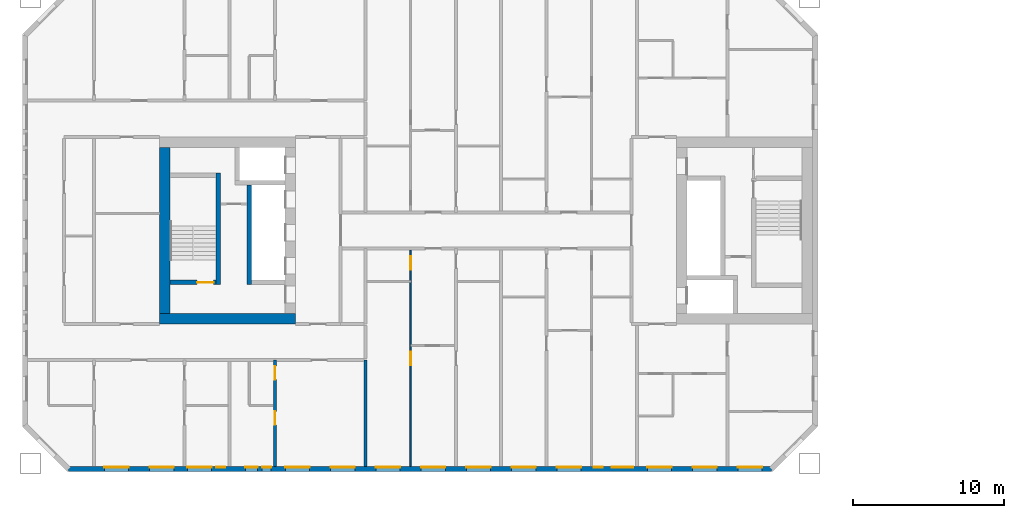
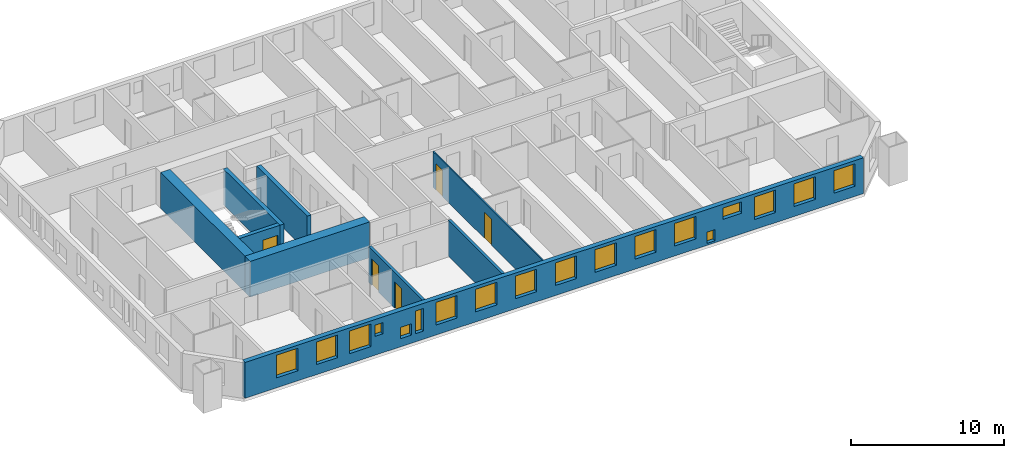
# One storey, part 3 of 17: 18 windows, 9 walls, 5 doors, 23 openings.
"""IFC4 building model written with IfcOpenShell, lengths in metres."""

from ifc_helpers import new_model, si_unit, direction, frame, frame_2d, origin, place, context, subcontext, project, spatial, rectangle, extrude, material, layer, layer_set, type_object, element, fill, save


model = new_model("IFC4")

# Units and contexts
model_context = context("Model", 3, precision=1e-05, world=origin(), true_north=direction((0.0, 1.0)))
body_context = subcontext(model_context, "Body", "Model", "MODEL_VIEW")
ifc_project = project(units=[si_unit("LENGTHUNIT", "METRE"), si_unit("AREAUNIT", "SQUARE_METRE"), si_unit("VOLUMEUNIT", "CUBIC_METRE"), si_unit("PLANEANGLEUNIT", "RADIAN"), si_unit("MASSUNIT", "GRAM", prefix="KILO")], contexts=[model_context])

# Site, building, storey
site_placement = place(None, origin())
site = spatial("IfcSite", under=ifc_project, at=site_placement, CompositionType="ELEMENT")
building_placement = place(site_placement, origin())
building = spatial("IfcBuilding", under=site, at=building_placement, Name="Tuart Gate Housing", CompositionType="ELEMENT")
storey_placement = place(building_placement, frame((0.0, 0.0, 77.800048828125)))
storey = spatial("IfcBuildingStorey", under=building, at=storey_placement, Name="L21", CompositionType="ELEMENT", Elevation=77.800048828125)

# Wall, openings, windows
ifc_material_1 = material(Name="Brick", Category="masonry")
ifc_layer_1 = layer(ifc_material_1, 0.360107421875)
ifc_layer_set_1 = layer_set([ifc_layer_1], Name="Brick pier and spandrel wall 360")
wall_type_1 = type_object("IfcWallType", Name="Brick pier and spandrel wall 360", PredefinedType="STANDARD", material=ifc_layer_set_1)
wall_1_placement = place(storey_placement, frame((26.32470703125, 54.179931640625, 0.0), z_axis=(0.0, 0.0, 1.0), x_axis=(1.0, 0.0, 0.0)))
wall_1 = element("IfcWall", 1, at=wall_1_placement, inside=storey, type_object=wall_type_1, Name="External wall A-S L21", PredefinedType="STANDARD", context=body_context, shape_type="SweptSolid", body=[
    extrude(rectangle(XDim=46.600830078125, YDim=0.360107421875, at=frame_2d((23.30029296875, 0.0))), origin(), (0.0, 0.0, 1.0), 2.849853515625),
])
opening_1_placement = place(wall_1_placement, frame((2.37548828125, 0.0, 0.800048828125)))
opening_1 = element("IfcOpeningElement", 2, at=opening_1_placement, cuts=wall_1, Name="Opening W1", PredefinedType="OPENING", context=body_context, shape_type="SweptSolid", body=[
    extrude(rectangle(XDim=1.60009765625, YDim=1.800048828125, at=frame_2d((0.800048828125, 0.89990234375))), frame((0.0, 0.18994140625, 0.0), z_axis=(0.0, -1.0, 0.0), x_axis=(1.0, 0.0, 0.0)), (0.0, 0.0, 1.0), 0.380126953125),
])
opening_2_placement = place(wall_1_placement, frame((5.37548828125, 0.0, 0.800048828125)))
opening_2 = element("IfcOpeningElement", 3, at=opening_2_placement, cuts=wall_1, Name="Opening W1", PredefinedType="OPENING", context=body_context, shape_type="SweptSolid", body=[
    extrude(rectangle(XDim=1.60009765625, YDim=1.800048828125, at=frame_2d((0.800048828125, 0.89990234375))), frame((0.0, 0.18994140625, 0.0), z_axis=(0.0, -1.0, 0.0), x_axis=(1.0, 0.0, 0.0)), (0.0, 0.0, 1.0), 0.380126953125),
])
opening_3_placement = place(wall_1_placement, frame((7.87548828125, 0.0, 0.800048828125)))
opening_3 = element("IfcOpeningElement", 4, at=opening_3_placement, cuts=wall_1, Name="Opening W1", PredefinedType="OPENING", context=body_context, shape_type="SweptSolid", body=[
    extrude(rectangle(XDim=1.60009765625, YDim=1.800048828125, at=frame_2d((0.800048828125, 0.89990234375))), frame((0.0, 0.18994140625, 0.0), z_axis=(0.0, -1.0, 0.0), x_axis=(1.0, 0.0, 0.0)), (0.0, 0.0, 1.0), 0.380126953125),
])
opening_4_placement = place(wall_1_placement, frame((11.725341796875, 0.0, 0.64990234375)))
opening_4 = element("IfcOpeningElement", 5, at=opening_4_placement, cuts=wall_1, Name="Opening W1V", PredefinedType="OPENING", context=body_context, shape_type="SweptSolid", body=[
    extrude(rectangle(XDim=0.800048828125, YDim=0.89990234375, at=frame_2d((0.39990234375, 0.449951171875))), frame((0.0, 0.18994140625, 0.0), z_axis=(0.0, -1.0, 0.0), x_axis=(1.0, 0.0, 0.0)), (0.0, 0.0, 1.0), 0.380126953125),
])
opening_5_placement = place(wall_1_placement, frame((14.37548828125, 0.0, 0.800048828125)))
opening_5 = element("IfcOpeningElement", 6, at=opening_5_placement, cuts=wall_1, Name="Opening W1", PredefinedType="OPENING", context=body_context, shape_type="SweptSolid", body=[
    extrude(rectangle(XDim=1.60009765625, YDim=1.800048828125, at=frame_2d((0.800048828125, 0.89990234375))), frame((0.0, 0.18994140625, 0.0), z_axis=(0.0, -1.0, 0.0), x_axis=(1.0, 0.0, 0.0)), (0.0, 0.0, 1.0), 0.380126953125),
])
opening_6_placement = place(wall_1_placement, frame((17.37548828125, 0.0, 0.800048828125)))
opening_6 = element("IfcOpeningElement", 7, at=opening_6_placement, cuts=wall_1, Name="Opening W1", PredefinedType="OPENING", context=body_context, shape_type="SweptSolid", body=[
    extrude(rectangle(XDim=1.60009765625, YDim=1.800048828125, at=frame_2d((0.800048828125, 0.89990234375))), frame((0.0, 0.18994140625, 0.0), z_axis=(0.0, -1.0, 0.0), x_axis=(1.0, 0.0, 0.0)), (0.0, 0.0, 1.0), 0.380126953125),
])
opening_7_placement = place(wall_1_placement, frame((20.37548828125, 0.0, 0.800048828125)))
opening_7 = element("IfcOpeningElement", 8, at=opening_7_placement, cuts=wall_1, Name="Opening W1", PredefinedType="OPENING", context=body_context, shape_type="SweptSolid", body=[
    extrude(rectangle(XDim=1.60009765625, YDim=1.800048828125, at=frame_2d((0.800048828125, 0.89990234375))), frame((0.0, 0.18994140625, 0.0), z_axis=(0.0, -1.0, 0.0), x_axis=(1.0, 0.0, 0.0)), (0.0, 0.0, 1.0), 0.380126953125),
])
opening_8_placement = place(wall_1_placement, frame((23.37548828125, 0.0, 0.800048828125)))
opening_8 = element("IfcOpeningElement", 9, at=opening_8_placement, cuts=wall_1, Name="Opening W1", PredefinedType="OPENING", context=body_context, shape_type="SweptSolid", body=[
    extrude(rectangle(XDim=1.60009765625, YDim=1.800048828125, at=frame_2d((0.800048828125, 0.89990234375))), frame((0.0, 0.18994140625, 0.0), z_axis=(0.0, -1.0, 0.0), x_axis=(1.0, 0.0, 0.0)), (0.0, 0.0, 1.0), 0.380126953125),
])
opening_9_placement = place(wall_1_placement, frame((26.37548828125, 0.0, 0.800048828125)))
opening_9 = element("IfcOpeningElement", 10, at=opening_9_placement, cuts=wall_1, Name="Opening W1", PredefinedType="OPENING", context=body_context, shape_type="SweptSolid", body=[
    extrude(rectangle(XDim=1.60009765625, YDim=1.800048828125, at=frame_2d((0.800048828125, 0.89990234375))), frame((0.0, 0.18994140625, 0.0), z_axis=(0.0, -1.0, 0.0), x_axis=(1.0, 0.0, 0.0)), (0.0, 0.0, 1.0), 0.380126953125),
])
opening_10_placement = place(wall_1_placement, frame((29.37548828125, 0.0, 0.800048828125)))
opening_10 = element("IfcOpeningElement", 11, at=opening_10_placement, cuts=wall_1, Name="Opening W1", PredefinedType="OPENING", context=body_context, shape_type="SweptSolid", body=[
    extrude(rectangle(XDim=1.60009765625, YDim=1.800048828125, at=frame_2d((0.800048828125, 0.89990234375))), frame((0.0, 0.18994140625, 0.0), z_axis=(0.0, -1.0, 0.0), x_axis=(1.0, 0.0, 0.0)), (0.0, 0.0, 1.0), 0.380126953125),
])
opening_11_placement = place(wall_1_placement, frame((32.37548828125, 0.0, 0.800048828125)))
opening_11 = element("IfcOpeningElement", 12, at=opening_11_placement, cuts=wall_1, Name="Opening W1", PredefinedType="OPENING", context=body_context, shape_type="SweptSolid", body=[
    extrude(rectangle(XDim=1.60009765625, YDim=1.800048828125, at=frame_2d((0.800048828125, 0.89990234375))), frame((0.0, 0.18994140625, 0.0), z_axis=(0.0, -1.0, 0.0), x_axis=(1.0, 0.0, 0.0)), (0.0, 0.0, 1.0), 0.380126953125),
])
opening_12_placement = place(wall_1_placement, frame((34.825439453125, 0.0, 0.14990234375)))
opening_12 = element("IfcOpeningElement", 13, at=opening_12_placement, cuts=wall_1, Name="Opening W1W", PredefinedType="OPENING", context=body_context, shape_type="SweptSolid", body=[
    extrude(rectangle(XDim=0.60009765625, YDim=0.89990234375, at=frame_2d((0.300048828125, 0.449951171875))), frame((0.0, 0.18994140625, 0.0), z_axis=(0.0, -1.0, 0.0), x_axis=(1.0, 0.0, 0.0)), (0.0, 0.0, 1.0), 0.380126953125),
])
opening_13_placement = place(wall_1_placement, frame((38.37548828125, 0.0, 0.800048828125)))
opening_13 = element("IfcOpeningElement", 14, at=opening_13_placement, cuts=wall_1, Name="Opening W1", PredefinedType="OPENING", context=body_context, shape_type="SweptSolid", body=[
    extrude(rectangle(XDim=1.60009765625, YDim=1.800048828125, at=frame_2d((0.800048828125, 0.89990234375))), frame((0.0, 0.18994140625, 0.0), z_axis=(0.0, -1.0, 0.0), x_axis=(1.0, 0.0, 0.0)), (0.0, 0.0, 1.0), 0.380126953125),
])
opening_14_placement = place(wall_1_placement, frame((41.37548828125, 0.0, 0.800048828125)))
opening_14 = element("IfcOpeningElement", 15, at=opening_14_placement, cuts=wall_1, Name="Opening W1", PredefinedType="OPENING", context=body_context, shape_type="SweptSolid", body=[
    extrude(rectangle(XDim=1.60009765625, YDim=1.800048828125, at=frame_2d((0.800048828125, 0.89990234375))), frame((0.0, 0.18994140625, 0.0), z_axis=(0.0, -1.0, 0.0), x_axis=(1.0, 0.0, 0.0)), (0.0, 0.0, 1.0), 0.380126953125),
])
opening_15_placement = place(wall_1_placement, frame((44.37548828125, 0.0, 0.800048828125)))
opening_15 = element("IfcOpeningElement", 16, at=opening_15_placement, cuts=wall_1, Name="Opening W1", PredefinedType="OPENING", context=body_context, shape_type="SweptSolid", body=[
    extrude(rectangle(XDim=1.60009765625, YDim=1.800048828125, at=frame_2d((0.800048828125, 0.89990234375))), frame((0.0, 0.18994140625, 0.0), z_axis=(0.0, -1.0, 0.0), x_axis=(1.0, 0.0, 0.0)), (0.0, 0.0, 1.0), 0.380126953125),
])
opening_16_placement = place(wall_1_placement, frame((9.775390625, 0.0, 1.5)))
opening_16 = element("IfcOpeningElement", 17, at=opening_16_placement, cuts=wall_1, Name="Opening W1W", PredefinedType="OPENING", context=body_context, shape_type="SweptSolid", body=[
    extrude(rectangle(XDim=0.60009765625, YDim=0.89990234375, at=frame_2d((0.300048828125, 0.449951171875))), frame((0.0, 0.18994140625, 0.0), z_axis=(0.0, -1.0, 0.0), x_axis=(1.0, 0.0, 0.0)), (0.0, 0.0, 1.0), 0.380126953125),
])
opening_17_placement = place(wall_1_placement, frame((12.825439453125, 0.0, 0.64990234375)))
opening_17 = element("IfcOpeningElement", 18, at=opening_17_placement, cuts=wall_1, Name="Opening W1E", PredefinedType="OPENING", context=body_context, shape_type="SweptSolid", body=[
    extrude(rectangle(XDim=0.60009765625, YDim=1.800048828125, at=frame_2d((0.300048828125, 0.89990234375))), frame((0.0, 0.18994140625, 0.0), z_axis=(0.0, -1.0, 0.0), x_axis=(1.0, 0.0, 0.0)), (0.0, 0.0, 1.0), 0.380126953125),
])
opening_18_placement = place(wall_1_placement, frame((36.025390625, 0.0, 1.64990234375)))
opening_18 = element("IfcOpeningElement", 19, at=opening_18_placement, cuts=wall_1, Name="Opening W1S", PredefinedType="OPENING", context=body_context, shape_type="SweptSolid", body=[
    extrude(rectangle(XDim=1.39990234375, YDim=0.89990234375, at=frame_2d((0.699951171875, 0.449951171875))), frame((0.0, 0.18994140625, 0.0), z_axis=(0.0, -1.0, 0.0), x_axis=(1.0, 0.0, 0.0)), (0.0, 0.0, 1.0), 0.380126953125),
])
ifc_material_2 = material(Name="Aluminium frame with clear glass", Category="aluminium")
window_type_1 = type_object("IfcWindowType", Name="Punched window 1400 x 900", PartitioningType="SINGLE_PANEL", PredefinedType="WINDOW", material=ifc_material_2)
window_1_placement = place(opening_18_placement, origin())
window_1 = element("IfcWindow", 20, at=window_1_placement, inside=storey, type_object=window_type_1, Name="Window W1S", OverallHeight=0.89990234375, OverallWidth=1.39990234375, PartitioningType="SINGLE_PANEL", PredefinedType="WINDOW", context=body_context, shape_type="SweptSolid", body=[
    extrude(rectangle(XDim=1.39990234375, YDim=0.89990234375, at=frame_2d((0.699951171875, 0.449951171875))), frame((0.0, 0.150146484375, 0.0), z_axis=(0.0, -1.0, 0.0), x_axis=(1.0, 0.0, 0.0)), (0.0, 0.0, 1.0), 0.06005859375),
])
fill(opening_18, window_1)
ifc_material_3 = material(Name="Aluminium frame with clear glass", Category="aluminium")
window_type_2 = type_object("IfcWindowType", Name="Punched window 1600 x 1800", PartitioningType="SINGLE_PANEL", PredefinedType="WINDOW", material=ifc_material_3)
window_2_placement = place(opening_1_placement, origin())
window_2 = element("IfcWindow", 21, at=window_2_placement, inside=storey, type_object=window_type_2, Name="Window W1", OverallHeight=1.800048828125, OverallWidth=1.60009765625, PartitioningType="SINGLE_PANEL", PredefinedType="WINDOW", context=body_context, shape_type="SweptSolid", body=[
    extrude(rectangle(XDim=1.60009765625, YDim=1.800048828125, at=frame_2d((0.800048828125, 0.89990234375))), frame((0.0, 0.150146484375, 0.0), z_axis=(0.0, -1.0, 0.0), x_axis=(1.0, 0.0, 0.0)), (0.0, 0.0, 1.0), 0.06005859375),
])
fill(opening_1, window_2)
window_3_placement = place(opening_2_placement, origin())
window_3 = element("IfcWindow", 22, at=window_3_placement, inside=storey, type_object=window_type_2, Name="Window W1", OverallHeight=1.800048828125, OverallWidth=1.60009765625, PartitioningType="SINGLE_PANEL", PredefinedType="WINDOW", context=body_context, shape_type="SweptSolid", body=[
    extrude(rectangle(XDim=1.60009765625, YDim=1.800048828125, at=frame_2d((0.800048828125, 0.89990234375))), frame((0.0, 0.150146484375, 0.0), z_axis=(0.0, -1.0, 0.0), x_axis=(1.0, 0.0, 0.0)), (0.0, 0.0, 1.0), 0.06005859375),
])
fill(opening_2, window_3)
window_4_placement = place(opening_3_placement, origin())
window_4 = element("IfcWindow", 23, at=window_4_placement, inside=storey, type_object=window_type_2, Name="Window W1", OverallHeight=1.800048828125, OverallWidth=1.60009765625, PartitioningType="SINGLE_PANEL", PredefinedType="WINDOW", context=body_context, shape_type="SweptSolid", body=[
    extrude(rectangle(XDim=1.60009765625, YDim=1.800048828125, at=frame_2d((0.800048828125, 0.89990234375))), frame((0.0, 0.150146484375, 0.0), z_axis=(0.0, -1.0, 0.0), x_axis=(1.0, 0.0, 0.0)), (0.0, 0.0, 1.0), 0.06005859375),
])
fill(opening_3, window_4)
window_5_placement = place(opening_5_placement, origin())
window_5 = element("IfcWindow", 24, at=window_5_placement, inside=storey, type_object=window_type_2, Name="Window W1", OverallHeight=1.800048828125, OverallWidth=1.60009765625, PartitioningType="SINGLE_PANEL", PredefinedType="WINDOW", context=body_context, shape_type="SweptSolid", body=[
    extrude(rectangle(XDim=1.60009765625, YDim=1.800048828125, at=frame_2d((0.800048828125, 0.89990234375))), frame((0.0, 0.150146484375, 0.0), z_axis=(0.0, -1.0, 0.0), x_axis=(1.0, 0.0, 0.0)), (0.0, 0.0, 1.0), 0.06005859375),
])
fill(opening_5, window_5)
window_6_placement = place(opening_6_placement, origin())
window_6 = element("IfcWindow", 25, at=window_6_placement, inside=storey, type_object=window_type_2, Name="Window W1", OverallHeight=1.800048828125, OverallWidth=1.60009765625, PartitioningType="SINGLE_PANEL", PredefinedType="WINDOW", context=body_context, shape_type="SweptSolid", body=[
    extrude(rectangle(XDim=1.60009765625, YDim=1.800048828125, at=frame_2d((0.800048828125, 0.89990234375))), frame((0.0, 0.150146484375, 0.0), z_axis=(0.0, -1.0, 0.0), x_axis=(1.0, 0.0, 0.0)), (0.0, 0.0, 1.0), 0.06005859375),
])
fill(opening_6, window_6)
window_7_placement = place(opening_7_placement, origin())
window_7 = element("IfcWindow", 26, at=window_7_placement, inside=storey, type_object=window_type_2, Name="Window W1", OverallHeight=1.800048828125, OverallWidth=1.60009765625, PartitioningType="SINGLE_PANEL", PredefinedType="WINDOW", context=body_context, shape_type="SweptSolid", body=[
    extrude(rectangle(XDim=1.60009765625, YDim=1.800048828125, at=frame_2d((0.800048828125, 0.89990234375))), frame((0.0, 0.150146484375, 0.0), z_axis=(0.0, -1.0, 0.0), x_axis=(1.0, 0.0, 0.0)), (0.0, 0.0, 1.0), 0.06005859375),
])
fill(opening_7, window_7)
window_8_placement = place(opening_8_placement, origin())
window_8 = element("IfcWindow", 27, at=window_8_placement, inside=storey, type_object=window_type_2, Name="Window W1", OverallHeight=1.800048828125, OverallWidth=1.60009765625, PartitioningType="SINGLE_PANEL", PredefinedType="WINDOW", context=body_context, shape_type="SweptSolid", body=[
    extrude(rectangle(XDim=1.60009765625, YDim=1.800048828125, at=frame_2d((0.800048828125, 0.89990234375))), frame((0.0, 0.150146484375, 0.0), z_axis=(0.0, -1.0, 0.0), x_axis=(1.0, 0.0, 0.0)), (0.0, 0.0, 1.0), 0.06005859375),
])
fill(opening_8, window_8)
window_9_placement = place(opening_9_placement, origin())
window_9 = element("IfcWindow", 28, at=window_9_placement, inside=storey, type_object=window_type_2, Name="Window W1", OverallHeight=1.800048828125, OverallWidth=1.60009765625, PartitioningType="SINGLE_PANEL", PredefinedType="WINDOW", context=body_context, shape_type="SweptSolid", body=[
    extrude(rectangle(XDim=1.60009765625, YDim=1.800048828125, at=frame_2d((0.800048828125, 0.89990234375))), frame((0.0, 0.150146484375, 0.0), z_axis=(0.0, -1.0, 0.0), x_axis=(1.0, 0.0, 0.0)), (0.0, 0.0, 1.0), 0.06005859375),
])
fill(opening_9, window_9)
window_10_placement = place(opening_10_placement, origin())
window_10 = element("IfcWindow", 29, at=window_10_placement, inside=storey, type_object=window_type_2, Name="Window W1", OverallHeight=1.800048828125, OverallWidth=1.60009765625, PartitioningType="SINGLE_PANEL", PredefinedType="WINDOW", context=body_context, shape_type="SweptSolid", body=[
    extrude(rectangle(XDim=1.60009765625, YDim=1.800048828125, at=frame_2d((0.800048828125, 0.89990234375))), frame((0.0, 0.150146484375, 0.0), z_axis=(0.0, -1.0, 0.0), x_axis=(1.0, 0.0, 0.0)), (0.0, 0.0, 1.0), 0.06005859375),
])
fill(opening_10, window_10)
window_11_placement = place(opening_11_placement, origin())
window_11 = element("IfcWindow", 30, at=window_11_placement, inside=storey, type_object=window_type_2, Name="Window W1", OverallHeight=1.800048828125, OverallWidth=1.60009765625, PartitioningType="SINGLE_PANEL", PredefinedType="WINDOW", context=body_context, shape_type="SweptSolid", body=[
    extrude(rectangle(XDim=1.60009765625, YDim=1.800048828125, at=frame_2d((0.800048828125, 0.89990234375))), frame((0.0, 0.150146484375, 0.0), z_axis=(0.0, -1.0, 0.0), x_axis=(1.0, 0.0, 0.0)), (0.0, 0.0, 1.0), 0.06005859375),
])
fill(opening_11, window_11)
window_12_placement = place(opening_13_placement, origin())
window_12 = element("IfcWindow", 31, at=window_12_placement, inside=storey, type_object=window_type_2, Name="Window W1", OverallHeight=1.800048828125, OverallWidth=1.60009765625, PartitioningType="SINGLE_PANEL", PredefinedType="WINDOW", context=body_context, shape_type="SweptSolid", body=[
    extrude(rectangle(XDim=1.60009765625, YDim=1.800048828125, at=frame_2d((0.800048828125, 0.89990234375))), frame((0.0, 0.150146484375, 0.0), z_axis=(0.0, -1.0, 0.0), x_axis=(1.0, 0.0, 0.0)), (0.0, 0.0, 1.0), 0.06005859375),
])
fill(opening_13, window_12)
window_13_placement = place(opening_14_placement, origin())
window_13 = element("IfcWindow", 32, at=window_13_placement, inside=storey, type_object=window_type_2, Name="Window W1", OverallHeight=1.800048828125, OverallWidth=1.60009765625, PartitioningType="SINGLE_PANEL", PredefinedType="WINDOW", context=body_context, shape_type="SweptSolid", body=[
    extrude(rectangle(XDim=1.60009765625, YDim=1.800048828125, at=frame_2d((0.800048828125, 0.89990234375))), frame((0.0, 0.150146484375, 0.0), z_axis=(0.0, -1.0, 0.0), x_axis=(1.0, 0.0, 0.0)), (0.0, 0.0, 1.0), 0.06005859375),
])
fill(opening_14, window_13)
window_14_placement = place(opening_15_placement, origin())
window_14 = element("IfcWindow", 33, at=window_14_placement, inside=storey, type_object=window_type_2, Name="Window W1", OverallHeight=1.800048828125, OverallWidth=1.60009765625, PartitioningType="SINGLE_PANEL", PredefinedType="WINDOW", context=body_context, shape_type="SweptSolid", body=[
    extrude(rectangle(XDim=1.60009765625, YDim=1.800048828125, at=frame_2d((0.800048828125, 0.89990234375))), frame((0.0, 0.150146484375, 0.0), z_axis=(0.0, -1.0, 0.0), x_axis=(1.0, 0.0, 0.0)), (0.0, 0.0, 1.0), 0.06005859375),
])
fill(opening_15, window_14)
ifc_material_4 = material(Name="Aluminium frame with clear glass", Category="aluminium")
window_type_3 = type_object("IfcWindowType", Name="Punched window 600 x 1800", PartitioningType="SINGLE_PANEL", PredefinedType="WINDOW", material=ifc_material_4)
window_15_placement = place(opening_17_placement, origin())
window_15 = element("IfcWindow", 34, at=window_15_placement, inside=storey, type_object=window_type_3, Name="Window W1E", OverallHeight=1.800048828125, OverallWidth=0.60009765625, PartitioningType="SINGLE_PANEL", PredefinedType="WINDOW", context=body_context, shape_type="SweptSolid", body=[
    extrude(rectangle(XDim=0.60009765625, YDim=1.800048828125, at=frame_2d((0.300048828125, 0.89990234375))), frame((0.0, 0.150146484375, 0.0), z_axis=(0.0, -1.0, 0.0), x_axis=(1.0, 0.0, 0.0)), (0.0, 0.0, 1.0), 0.06005859375),
])
fill(opening_17, window_15)
ifc_material_5 = material(Name="Aluminium frame with clear glass", Category="aluminium")
window_type_4 = type_object("IfcWindowType", Name="Punched window 600 x 900", PartitioningType="SINGLE_PANEL", PredefinedType="WINDOW", material=ifc_material_5)
window_16_placement = place(opening_12_placement, origin())
window_16 = element("IfcWindow", 35, at=window_16_placement, inside=storey, type_object=window_type_4, Name="Window W1W", OverallHeight=0.89990234375, OverallWidth=0.60009765625, PartitioningType="SINGLE_PANEL", PredefinedType="WINDOW", context=body_context, shape_type="SweptSolid", body=[
    extrude(rectangle(XDim=0.60009765625, YDim=0.89990234375, at=frame_2d((0.300048828125, 0.449951171875))), frame((0.0, 0.150146484375, 0.0), z_axis=(0.0, -1.0, 0.0), x_axis=(1.0, 0.0, 0.0)), (0.0, 0.0, 1.0), 0.06005859375),
])
fill(opening_12, window_16)
window_17_placement = place(opening_16_placement, origin())
window_17 = element("IfcWindow", 36, at=window_17_placement, inside=storey, type_object=window_type_4, Name="Window W1W", OverallHeight=0.89990234375, OverallWidth=0.60009765625, PartitioningType="SINGLE_PANEL", PredefinedType="WINDOW", context=body_context, shape_type="SweptSolid", body=[
    extrude(rectangle(XDim=0.60009765625, YDim=0.89990234375, at=frame_2d((0.300048828125, 0.449951171875))), frame((0.0, 0.150146484375, 0.0), z_axis=(0.0, -1.0, 0.0), x_axis=(1.0, 0.0, 0.0)), (0.0, 0.0, 1.0), 0.06005859375),
])
fill(opening_16, window_17)
ifc_material_6 = material(Name="Aluminium frame with clear glass", Category="aluminium")
window_type_5 = type_object("IfcWindowType", Name="Punched window 800 x 900", PartitioningType="SINGLE_PANEL", PredefinedType="WINDOW", material=ifc_material_6)
window_18_placement = place(opening_4_placement, origin())
window_18 = element("IfcWindow", 37, at=window_18_placement, inside=storey, type_object=window_type_5, Name="Window W1V", OverallHeight=0.89990234375, OverallWidth=0.800048828125, PartitioningType="SINGLE_PANEL", PredefinedType="WINDOW", context=body_context, shape_type="SweptSolid", body=[
    extrude(rectangle(XDim=0.800048828125, YDim=0.89990234375, at=frame_2d((0.39990234375, 0.449951171875))), frame((0.0, 0.150146484375, 0.0), z_axis=(0.0, -1.0, 0.0), x_axis=(1.0, 0.0, 0.0)), (0.0, 0.0, 1.0), 0.06005859375),
])
fill(opening_4, window_18)

# Wall, opening, door
ifc_material_7 = material(Name="Concrete C50", Category="concrete")
ifc_layer_2 = layer(ifc_material_7, 0.300048828125)
ifc_layer_set_2 = layer_set([ifc_layer_2], Name="Core wall 300 C50")
wall_type_2 = type_object("IfcWallType", Name="Core wall 300 C50", PredefinedType="SHEAR", material=ifc_layer_set_2)
wall_2_placement = place(storey_placement, frame((36.110107421875, 66.550048828125, 0.0), z_axis=(0.0, 0.0, 1.0), x_axis=(-1.0, 0.0, 0.0)))
wall_2 = element("IfcWall", 38, at=wall_2_placement, inside=storey, type_object=wall_type_2, Name="Core wall AK.5", PredefinedType="SHEAR", context=body_context, shape_type="SweptSolid", body=[
    extrude(rectangle(XDim=3.050048828125, YDim=0.300048828125, at=frame_2d((1.52490234375, 0.0))), origin(), (0.0, 0.0, 1.0), 2.849853515625),
])
opening_19_placement = place(wall_2_placement, frame((0.169921875, 0.0, 0.0)))
opening_19 = element("IfcOpeningElement", 39, at=opening_19_placement, cuts=wall_2, Name="Opening D871", PredefinedType="OPENING", context=body_context, shape_type="SweptSolid", body=[
    extrude(rectangle(XDim=1.10009765625, YDim=2.10009765625, at=frame_2d((0.550048828125, 1.050048828125))), frame((0.0, 0.159912109375, 0.0), z_axis=(0.0, -1.0, 0.0), x_axis=(1.0, 0.0, 0.0)), (0.0, 0.0, 1.0), 0.320068359375),
])
ifc_material_8 = material(Name="Steel fire door", Category="steel")
door_type_1 = type_object("IfcDoorType", Name="Stair door 1100 x 2100 RH", OperationType="SINGLE_SWING_RIGHT", PredefinedType="DOOR", material=ifc_material_8)
door_1_placement = place(opening_19_placement, frame((1.10009765625, 0.0, 0.0), z_axis=(0.0, 0.0, 1.0), x_axis=(-1.0, 0.0, 0.0)))
door_1 = element("IfcDoor", 40, at=door_1_placement, inside=storey, type_object=door_type_1, Name="Stair door AK.SD", OperationType="SINGLE_SWING_RIGHT", OverallHeight=2.10009765625, OverallWidth=1.10009765625, PredefinedType="DOOR", context=body_context, shape_type="SweptSolid", body=[
    extrude(rectangle(XDim=1.10009765625, YDim=2.10009765625, at=frame_2d((0.550048828125, 1.050048828125))), frame((0.0, 0.025146484375, 0.0), z_axis=(0.0, -1.0, 0.0), x_axis=(1.0, 0.0, 0.0)), (0.0, 0.0, 1.0), 0.050048828125),
])
fill(opening_19, door_1)

# Walls
wall_3_placement = place(storey_placement, frame((38.31005859375, 73.0, 0.0), z_axis=(0.0, 0.0, 1.0), x_axis=(0.0, -1.0, 0.0)))
element("IfcWall", 41, at=wall_3_placement, inside=storey, type_object=wall_type_2, Name="Core wall AK.6", PredefinedType="SHEAR", context=body_context, shape_type="SweptSolid", body=[
    extrude(rectangle(XDim=6.60009765625, YDim=0.300048828125, at=frame_2d((3.300048828125, 0.0))), origin(), (0.0, 0.0, 1.0), 2.849853515625),
])
wall_4_placement = place(storey_placement, frame((36.260009765625, 73.800048828125, 0.0), z_axis=(0.0, 0.0, 1.0), x_axis=(0.0, -1.0, 0.0)))
element("IfcWall", 42, at=wall_4_placement, inside=storey, type_object=wall_type_2, Name="Core wall AK.8", PredefinedType="SHEAR", context=body_context, shape_type="SweptSolid", body=[
    extrude(rectangle(XDim=7.400146484375, YDim=0.300048828125, at=frame_2d((3.7001953125, 0.0))), origin(), (0.0, 0.0, 1.0), 2.849853515625),
])
ifc_material_9 = material(Name="Concrete C50", Category="concrete")
ifc_layer_3 = layer(ifc_material_9, 0.699951171875)
ifc_layer_set_3 = layer_set([ifc_layer_3], Name="Core wall 700 C50")
wall_type_3 = type_object("IfcWallType", Name="Core wall 700 C50", PredefinedType="SHEAR", material=ifc_layer_set_3)
wall_5_placement = place(storey_placement, frame((32.7099609375, 75.5, 0.0), z_axis=(0.0, 0.0, 1.0), x_axis=(0.0, -1.0, 0.0)))
element("IfcWall", 43, at=wall_5_placement, inside=storey, type_object=wall_type_3, Name="Core wall AK back", PredefinedType="SHEAR", context=body_context, shape_type="SweptSolid", body=[
    extrude(rectangle(XDim=11.0, YDim=0.699951171875, at=frame_2d((5.5, 0.0))), origin(), (0.0, 0.0, 1.0), 2.849853515625),
])
wall_6_placement = place(storey_placement, frame((41.360107421875, 64.14990234375, 0.0), z_axis=(0.0, 0.0, 1.0), x_axis=(-1.0, 0.0, 0.0)))
element("IfcWall", 44, at=wall_6_placement, inside=storey, type_object=wall_type_3, Name="Core wall AK north", PredefinedType="SHEAR", context=body_context, shape_type="SweptSolid", body=[
    extrude(rectangle(XDim=9.0, YDim=0.699951171875, at=frame_2d((4.5, 0.0))), origin(), (0.0, 0.0, 1.0), 2.849853515625),
])

# Wall, openings, doors
ifc_material_10 = material(Name="Gypsum board on steel studs", Category="steel")
ifc_layer_4 = layer(ifc_material_10, 0.10009765625)
ifc_layer_set_4 = layer_set([ifc_layer_4], Name="Partition 100")
wall_type_4 = type_object("IfcWallType", Name="Partition 100", PredefinedType="PARTITIONING", material=ifc_layer_set_4)
wall_7_placement = place(storey_placement, frame((49.0, 54.360107421875, 0.0), z_axis=(0.0, 0.0, 1.0), x_axis=(0.0, 1.0, 0.0)))
wall_7 = element("IfcWall", 45, at=wall_7_placement, inside=storey, type_object=wall_type_4, Name="Partition 100", PredefinedType="PARTITIONING", context=body_context, shape_type="SweptSolid", body=[
    extrude(rectangle(XDim=14.33984375, YDim=0.10009765625, at=frame_2d((7.169921875, 0.0))), origin(), (0.0, 0.0, 1.0), 2.849853515625),
])
opening_20_placement = place(wall_7_placement, frame((6.699951171875, 0.0, 0.0)))
opening_20 = element("IfcOpeningElement", 46, at=opening_20_placement, cuts=wall_7, Name="Opening D882", PredefinedType="OPENING", context=body_context, shape_type="SweptSolid", body=[
    extrude(rectangle(XDim=0.89990234375, YDim=2.10009765625, at=frame_2d((0.449951171875, 1.050048828125))), frame((0.0, 0.06005859375, 0.0), z_axis=(0.0, -1.0, 0.0), x_axis=(1.0, 0.0, 0.0)), (0.0, 0.0, 1.0), 0.1201171875),
])
opening_21_placement = place(wall_7_placement, frame((13.0400390625, 0.0, 0.0)))
opening_21 = element("IfcOpeningElement", 47, at=opening_21_placement, cuts=wall_7, Name="Opening D881", PredefinedType="OPENING", context=body_context, shape_type="SweptSolid", body=[
    extrude(rectangle(XDim=0.89990234375, YDim=2.10009765625, at=frame_2d((0.449951171875, 1.050048828125))), frame((0.0, 0.06005859375, 0.0), z_axis=(0.0, -1.0, 0.0), x_axis=(1.0, 0.0, 0.0)), (0.0, 0.0, 1.0), 0.1201171875),
])
ifc_material_11 = material(Name="Timber door leaf in steel frame", Category="steel")
door_type_2 = type_object("IfcDoorType", Name="Bathroom door 900 RH", OperationType="SINGLE_SWING_RIGHT", PredefinedType="DOOR", material=ifc_material_11)
door_2_placement = place(opening_21_placement, origin())
door_2 = element("IfcDoor", 48, at=door_2_placement, inside=storey, type_object=door_type_2, Name="Bathroom door", OperationType="SINGLE_SWING_RIGHT", OverallHeight=2.10009765625, OverallWidth=0.89990234375, PredefinedType="DOOR", context=body_context, shape_type="SweptSolid", body=[
    extrude(rectangle(XDim=0.89990234375, YDim=2.10009765625, at=frame_2d((0.449951171875, 1.050048828125))), frame((0.0, 0.02490234375, 0.0), z_axis=(0.0, -1.0, 0.0), x_axis=(1.0, 0.0, 0.0)), (0.0, 0.0, 1.0), 0.050048828125),
])
fill(opening_21, door_2)
ifc_material_12 = material(Name="Timber door leaf in steel frame", Category="steel")
door_type_3 = type_object("IfcDoorType", Name="Internal door 900 RH", OperationType="SINGLE_SWING_RIGHT", PredefinedType="DOOR", material=ifc_material_12)
door_3_placement = place(opening_20_placement, origin())
door_3 = element("IfcDoor", 49, at=door_3_placement, inside=storey, type_object=door_type_3, Name="Internal door", OperationType="SINGLE_SWING_RIGHT", OverallHeight=2.10009765625, OverallWidth=0.89990234375, PredefinedType="DOOR", context=body_context, shape_type="SweptSolid", body=[
    extrude(rectangle(XDim=0.89990234375, YDim=2.10009765625, at=frame_2d((0.449951171875, 1.050048828125))), frame((0.0, 0.02490234375, 0.0), z_axis=(0.0, -1.0, 0.0), x_axis=(1.0, 0.0, 0.0)), (0.0, 0.0, 1.0), 0.050048828125),
])
fill(opening_20, door_3)

ifc_material_13 = material(Name="Concrete C40", Category="concrete")
ifc_layer_5 = layer(ifc_material_13, 0.199951171875)
ifc_layer_set_5 = layer_set([ifc_layer_5], Name="Party wall concrete C40 200")
wall_type_5 = type_object("IfcWallType", Name="Party wall concrete C40 200", PredefinedType="SOLIDWALL", material=ifc_layer_set_5)
wall_8_placement = place(storey_placement, frame((40.0, 54.360107421875, 0.0), z_axis=(0.0, 0.0, 1.0), x_axis=(0.0, 1.0, 0.0)))
wall_8 = element("IfcWall", 50, at=wall_8_placement, inside=storey, type_object=wall_type_5, Name="Party wall concrete C40 200", PredefinedType="SOLIDWALL", context=body_context, shape_type="SweptSolid", body=[
    extrude(rectangle(XDim=7.039794921875, YDim=0.199951171875, at=frame_2d((3.52001953125, 0.0))), origin(), (0.0, 0.0, 1.0), 2.849853515625),
])
opening_22_placement = place(wall_8_placement, frame((2.739990234375, 0.0, 0.0)))
opening_22 = element("IfcOpeningElement", 51, at=opening_22_placement, cuts=wall_8, Name="Opening D896", PredefinedType="OPENING", context=body_context, shape_type="SweptSolid", body=[
    extrude(rectangle(XDim=0.89990234375, YDim=2.10009765625, at=frame_2d((0.449951171875, 1.050048828125))), frame((0.0, 0.10986328125, 0.0), z_axis=(0.0, -1.0, 0.0), x_axis=(1.0, 0.0, 0.0)), (0.0, 0.0, 1.0), 0.219970703125),
])
opening_23_placement = place(wall_8_placement, frame((5.739990234375, 0.0, 0.0)))
opening_23 = element("IfcOpeningElement", 52, at=opening_23_placement, cuts=wall_8, Name="Opening D895", PredefinedType="OPENING", context=body_context, shape_type="SweptSolid", body=[
    extrude(rectangle(XDim=0.89990234375, YDim=2.10009765625, at=frame_2d((0.449951171875, 1.050048828125))), frame((0.0, 0.10986328125, 0.0), z_axis=(0.0, -1.0, 0.0), x_axis=(1.0, 0.0, 0.0)), (0.0, 0.0, 1.0), 0.219970703125),
])
door_4_placement = place(opening_23_placement, origin())
door_4 = element("IfcDoor", 53, at=door_4_placement, inside=storey, type_object=door_type_2, Name="Bathroom door", OperationType="SINGLE_SWING_RIGHT", OverallHeight=2.10009765625, OverallWidth=0.89990234375, PredefinedType="DOOR", context=body_context, shape_type="SweptSolid", body=[
    extrude(rectangle(XDim=0.89990234375, YDim=2.10009765625, at=frame_2d((0.449951171875, 1.050048828125))), frame((0.0, 0.02490234375, 0.0), z_axis=(0.0, -1.0, 0.0), x_axis=(1.0, 0.0, 0.0)), (0.0, 0.0, 1.0), 0.050048828125),
])
fill(opening_23, door_4)
door_5_placement = place(opening_22_placement, origin())
door_5 = element("IfcDoor", 54, at=door_5_placement, inside=storey, type_object=door_type_3, Name="Internal door", OperationType="SINGLE_SWING_RIGHT", OverallHeight=2.10009765625, OverallWidth=0.89990234375, PredefinedType="DOOR", context=body_context, shape_type="SweptSolid", body=[
    extrude(rectangle(XDim=0.89990234375, YDim=2.10009765625, at=frame_2d((0.449951171875, 1.050048828125))), frame((0.0, 0.02490234375, 0.0), z_axis=(0.0, -1.0, 0.0), x_axis=(1.0, 0.0, 0.0)), (0.0, 0.0, 1.0), 0.050048828125),
])
fill(opening_22, door_5)

# Wall
wall_9_placement = place(storey_placement, frame((46.0, 54.360107421875, 0.0), z_axis=(0.0, 0.0, 1.0), x_axis=(0.0, 1.0, 0.0)))
element("IfcWall", 55, at=wall_9_placement, inside=storey, type_object=wall_type_5, Name="Party wall concrete C40 200", PredefinedType="SOLIDWALL", context=body_context, shape_type="SweptSolid", body=[
    extrude(rectangle(XDim=7.039794921875, YDim=0.199951171875, at=frame_2d((3.52001953125, 0.0))), origin(), (0.0, 0.0, 1.0), 2.849853515625),
])

save(model, "model.ifc")
